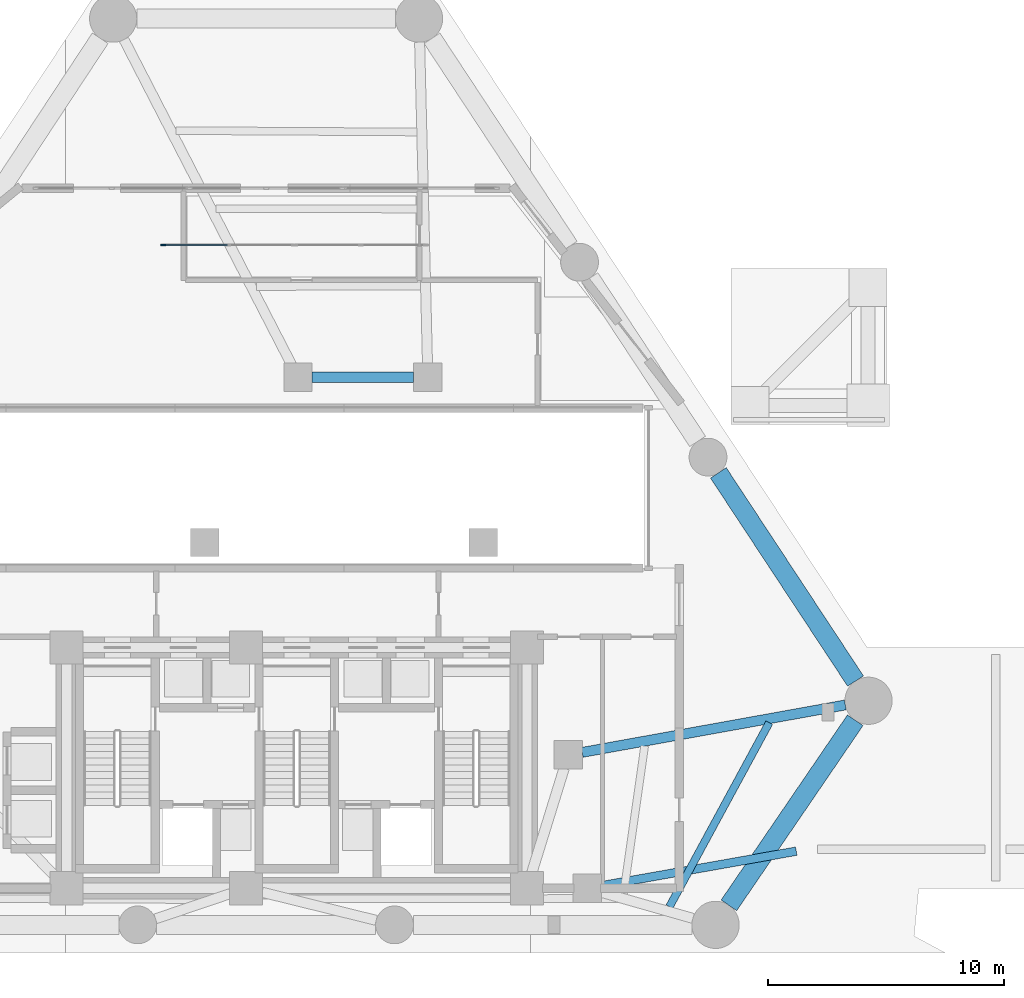
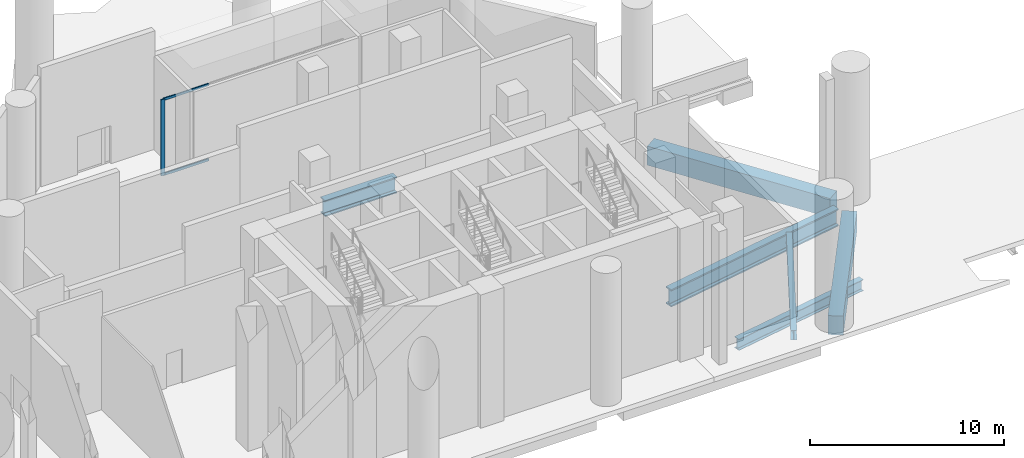
# One storey, part 3 of 12: 6 beams, 3 members, 1 element without a shape of its own.
"""IFC4 building model written with IfcOpenShell, lengths in metres."""

from ifc_helpers import new_model, si_unit, direction, frame, origin, origin_2d, place, context, subcontext, project, spatial, rectangle, i_section, extrude, material, layer, layer_set, material_profile, profile_set, type_object, element, aggregate, save


model = new_model("IFC4")

# Units and contexts
model_context = context("Model", 3, precision=1e-05, world=origin(), true_north=direction((0.0, 1.0)))
body_context = subcontext(model_context, "Body", "Model", "MODEL_VIEW")
ifc_project = project(units=[si_unit("LENGTHUNIT", "METRE"), si_unit("AREAUNIT", "SQUARE_METRE"), si_unit("VOLUMEUNIT", "CUBIC_METRE"), si_unit("PLANEANGLEUNIT", "RADIAN"), si_unit("MASSUNIT", "GRAM", prefix="KILO")], contexts=[model_context])

# Site, building, storey
site_placement = place(None, origin())
site = spatial("IfcSite", under=ifc_project, at=site_placement, CompositionType="ELEMENT")
building_placement = place(site_placement, origin())
building = spatial("IfcBuilding", under=site, at=building_placement, Name="Almagre Mirador Tower", CompositionType="ELEMENT")
storey_placement = place(building_placement, origin())
storey = spatial("IfcBuildingStorey", under=building, at=storey_placement, Name="L00", CompositionType="ELEMENT", Elevation=0.0)

# Beams
ifc_material_1 = material(Name="Steel ASTM A992 Grade 50", Category="steel")
ifc_material_profile_1 = material_profile(ifc_material_1, i_section(OverallWidth=0.323974609375, OverallDepth=0.611083984375, WebThickness=0.0126953125, FlangeThickness=0.01904296875, FilletRadius=0.02001953125, at=origin_2d()), Name="W24X104")
ifc_profile_set_1 = profile_set([ifc_material_profile_1], Name="Steel ASTM A992 Grade 50")
beam_type_1 = type_object("IfcBeamType", Name="BM-JST-W24X104", PredefinedType="JOIST", material=ifc_profile_set_1)
beam_1_placement = place(storey_placement, frame((53.0869140625, 3.771484375, -0.60546875), z_axis=(0.476618423224, 0.879110276725, 0.0), x_axis=(-0.879110276725, 0.476618423224, 0.0)))
element("IfcBeam", 1, at=beam_1_placement, inside=storey, type_object=beam_type_1, Name="L00 secondary floor joist PC04-PC05.1", PredefinedType="JOIST", context=body_context, shape_type="SweptSolid", body=[
    extrude(i_section(OverallWidth=0.323974609375, OverallDepth=0.611083984375, WebThickness=0.0126953125, FlangeThickness=0.01904296875, FilletRadius=0.02001953125, at=origin_2d()), origin(), (0.0, 0.0, 1.0), 8.8662109375),
])
ifc_material_2 = material(Name="Precast concrete C50/60", Category="concrete")
ifc_material_profile_2 = material_profile(ifc_material_2, rectangle(XDim=0.800048828125, YDim=1.199951171875, at=origin_2d()), Name="RC800X1200")
ifc_profile_set_2 = profile_set([ifc_material_profile_2], Name="Precast concrete C50/60")
beam_type_2 = type_object("IfcBeamType", Name="BM-SPN-RC800X1200", PredefinedType="SPANDREL", material=ifc_profile_set_2)
beam_2_placement = place(storey_placement, frame((55.603759765625, 3.825927734375, -0.89990234375), z_axis=(0.563701507362, 0.825978577566, 0.0), x_axis=(-0.825978577566, 0.563701507362, 0.0)))
element("IfcBeam", 2, at=beam_2_placement, inside=storey, type_object=beam_type_2, Name="L00 perimeter spandrel beam PC04-PC05", PredefinedType="SPANDREL", context=body_context, shape_type="SweptSolid", body=[
    extrude(rectangle(XDim=0.800048828125, YDim=1.199951171875, at=origin_2d()), origin(), (0.0, 0.0, 1.0), 9.491943359375),
])
beam_3_placement = place(storey_placement, frame((60.9677734375, 13.326904296875, -0.89990234375), z_axis=(-0.550199423007, 0.835033289709, 0.0), x_axis=(-0.835033289709, -0.550199423007, 0.0)))
element("IfcBeam", 3, at=beam_3_placement, inside=storey, type_object=beam_type_2, Name="L00 perimeter spandrel beam PC05-PC06", PredefinedType="SPANDREL", context=body_context, shape_type="SweptSolid", body=[
    extrude(rectangle(XDim=0.800048828125, YDim=1.199951171875, at=origin_2d()), origin(), (0.0, 0.0, 1.0), 10.55908203125),
])
ifc_material_3 = material(Name="Steel ASTM A992 Grade 50", Category="steel")
ifc_material_profile_3 = material_profile(ifc_material_3, i_section(OverallWidth=0.35791015625, OverallDepth=0.7060546875, WebThickness=0.018310546875, FlangeThickness=0.0302734375, FilletRadius=0.02197265625, at=origin_2d()), Name="W27X178")
ifc_profile_set_3 = profile_set([ifc_material_profile_3], Name="Steel ASTM A992 Grade 50")
beam_type_3 = type_object("IfcBeamType", Name="BM-STL-W27X178", PredefinedType="BEAM", material=ifc_profile_set_3)
beam_4_placement = place(storey_placement, frame((58.456787109375, 6.121337890625, -0.653076171875), z_axis=(-0.984622701275, -0.174694407849, 0.0), x_axis=(0.174694407849, -0.984622701275, 0.0)))
element("IfcBeam", 4, at=beam_4_placement, inside=storey, type_object=beam_type_3, Name="L00 substructure wing girder BW-E4", PredefinedType="BEAM", context=body_context, shape_type="SweptSolid", body=[
    extrude(i_section(OverallWidth=0.35791015625, OverallDepth=0.7060546875, WebThickness=0.018310546875, FlangeThickness=0.0302734375, FilletRadius=0.02197265625, at=origin_2d()), origin(), (0.0, 0.0, 1.0), 8.39501953125),
])
ifc_material_4 = material(Name="Steel ASTM A992 Grade 50", Category="steel")
ifc_material_profile_4 = material_profile(ifc_material_4, i_section(OverallWidth=0.43701171875, OverallDepth=1.010986328125, WebThickness=0.041015625, FlangeThickness=0.073974609375, FilletRadius=0.028076171875, at=origin_2d()), Name="W36X529")
ifc_profile_set_4 = profile_set([ifc_material_profile_4], Name="Steel ASTM A992 Grade 50")
beam_type_4 = type_object("IfcBeamType", Name="BM-STL-W36X529", PredefinedType="BEAM", material=ifc_profile_set_4)
beam_5_placement = place(storey_placement, frame((37.949951171875, 26.199951171875, -0.805419921875), z_axis=(1.0, 0.0, 0.0), x_axis=(0.0, 1.0, 0.0)))
element("IfcBeam", 5, at=beam_5_placement, inside=storey, type_object=beam_type_4, Name="L00 core tie girder MC7-MC6", PredefinedType="BEAM", context=body_context, shape_type="SweptSolid", body=[
    extrude(i_section(OverallWidth=0.43701171875, OverallDepth=1.010986328125, WebThickness=0.041015625, FlangeThickness=0.073974609375, FilletRadius=0.028076171875, at=origin_2d()), origin(), (0.0, 0.0, 1.0), 4.300048828125),
])
ifc_material_5 = material(Name="Steel ASTM A913 Grade 65", Category="steel")
ifc_material_profile_5 = material_profile(ifc_material_5, i_section(OverallWidth=0.424072265625, OverallDepth=1.092041015625, WebThickness=0.04541015625, FlangeThickness=0.08203125, FilletRadius=0.030029296875, at=origin_2d()), Name="W40X593")
ifc_profile_set_5 = profile_set([ifc_material_profile_5], Name="Steel ASTM A913 Grade 65")
beam_type_5 = type_object("IfcBeamType", Name="BM-STL-W40X593", PredefinedType="BEAM", material=ifc_profile_set_5)
beam_6_placement = place(storey_placement, frame((60.533935546875, 12.314697265625, -0.845947265625), z_axis=(-0.984145408317, -0.177363511717, 0.0), x_axis=(0.177363511717, -0.984145408317, 0.0)))
element("IfcBeam", 6, at=beam_6_placement, inside=storey, type_object=beam_type_5, Name="L00 radial floor girder PC05-MC3", PredefinedType="BEAM", context=body_context, shape_type="SweptSolid", body=[
    extrude(i_section(OverallWidth=0.424072265625, OverallDepth=1.092041015625, WebThickness=0.04541015625, FlangeThickness=0.08203125, FilletRadius=0.030029296875, at=origin_2d()), origin(), (0.0, 0.0, 1.0), 11.322998046875),
])

# Curtain wall, members
ifc_material_6 = material(Name="Black anodized aluminium", Category="aluminium")
ifc_layer = layer(ifc_material_6, 0.219970703125)
ifc_layer_set = layer_set([ifc_layer], Name="Black anodized aluminium")
curtain_wall_type = type_object("IfcCurtainWallType", Name="CW-POD-SYS", PredefinedType="NOTDEFINED", material=ifc_layer_set)
curtain_wall_placement = place(storey_placement, origin())
curtain_wall = element("IfcCurtainWall", 7, at=curtain_wall_placement, inside=storey, type_object=curtain_wall_type, Name="L00 lobby curtain wall 1.1", PredefinedType="NOTDEFINED")
ifc_material_7 = material(Name="Black anodized aluminium", Category="aluminium")
ifc_material_profile_6 = material_profile(ifc_material_7, rectangle(XDim=0.070068359375, YDim=0.2099609375, at=origin_2d()), Name="CWM70X210")
ifc_profile_set_6 = profile_set([ifc_material_profile_6], Name="Black anodized aluminium")
member_type_1 = type_object("IfcMemberType", Name="MBR-CWM70X210", PredefinedType="MULLION", material=ifc_profile_set_6)
member_1_placement = place(storey_placement, frame((31.635009765625, 31.800048828125, 0.0), z_axis=(0.0, 0.0, 1.0), x_axis=(0.0, 1.0, 0.0)))
member_1 = element("IfcMember", 8, at=member_1_placement, type_object=member_type_1, Name="CW-1 mullion 1", PredefinedType="MULLION", context=body_context, shape_type="SweptSolid", body=[
    extrude(rectangle(XDim=0.070068359375, YDim=0.2099609375, at=origin_2d()), origin(), (0.0, 0.0, 1.0), 4.800048828125),
])
ifc_material_8 = material(Name="Black anodized aluminium", Category="aluminium")
ifc_material_profile_7 = material_profile(ifc_material_8, rectangle(XDim=0.06494140625, YDim=0.14990234375, at=origin_2d()), Name="CWT65X150")
ifc_profile_set_7 = profile_set([ifc_material_profile_7], Name="Black anodized aluminium")
member_type_2 = type_object("IfcMemberType", Name="MBR-CWT65X150", PredefinedType="USERDEFINED", material=ifc_profile_set_7)
member_2_placement = place(storey_placement, frame((31.669921875, 31.800048828125, 0.032470703125), z_axis=(1.0, 0.0, 0.0), x_axis=(0.0, 1.0, 0.0)))
member_2 = element("IfcMember", 9, at=member_2_placement, type_object=member_type_2, Name="CW-1 transom 1.1", ObjectType="TRANSOM", PredefinedType="USERDEFINED", context=body_context, shape_type="SweptSolid", body=[
    extrude(rectangle(XDim=0.06494140625, YDim=0.14990234375, at=origin_2d()), origin(), (0.0, 0.0, 1.0), 2.695068359375),
])
member_3_placement = place(storey_placement, frame((31.669921875, 31.800048828125, 4.767578125), z_axis=(1.0, 0.0, 0.0), x_axis=(0.0, 1.0, 0.0)))
member_3 = element("IfcMember", 10, at=member_3_placement, type_object=member_type_2, Name="CW-1 transom 1.2", ObjectType="TRANSOM", PredefinedType="USERDEFINED", context=body_context, shape_type="SweptSolid", body=[
    extrude(rectangle(XDim=0.06494140625, YDim=0.14990234375, at=origin_2d()), origin(), (0.0, 0.0, 1.0), 2.695068359375),
])
aggregate(curtain_wall, [member_1, member_2, member_3])

save(model, "model.ifc")
